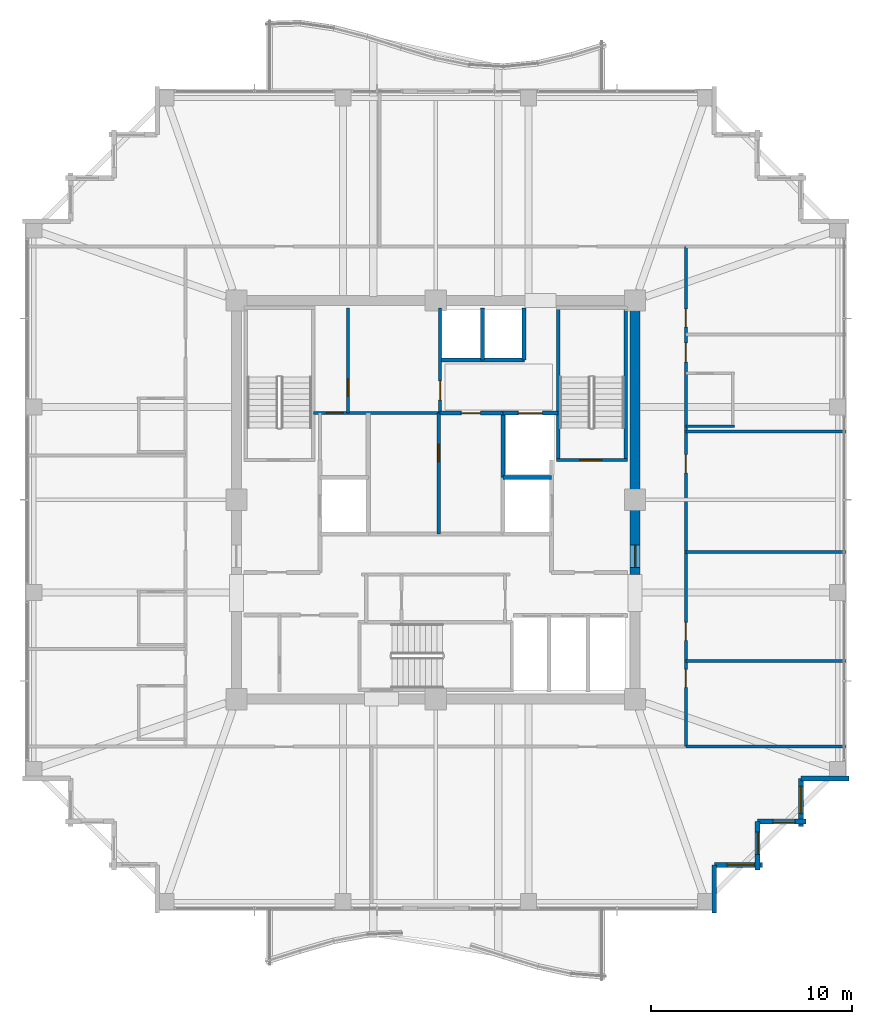
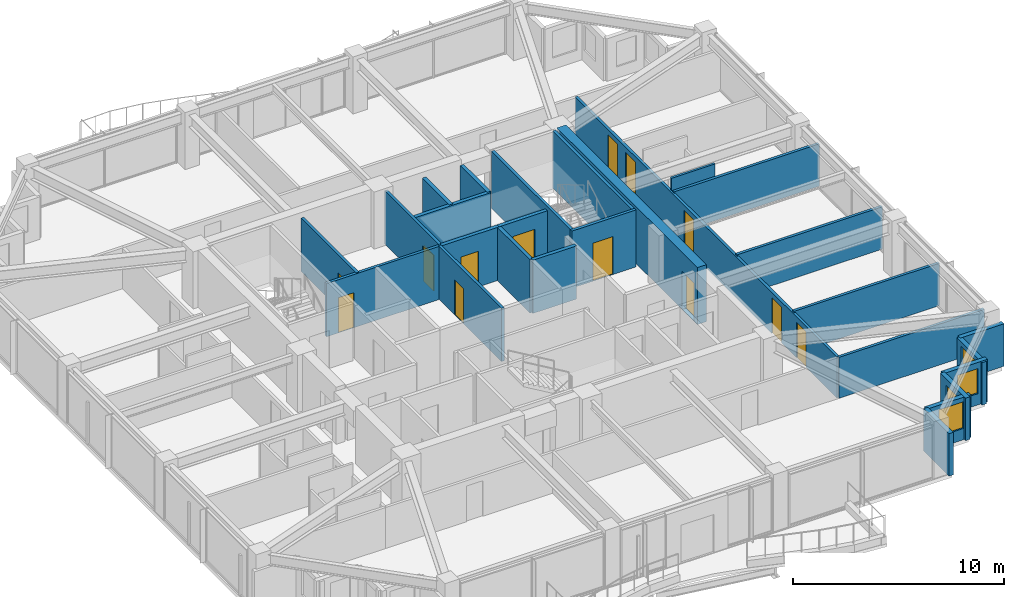
# One storey, part 32 of 36: 27 walls, 13 doors, 4 windows, 17 openings.
"""IFC4 building model written with IfcOpenShell, lengths in metres."""

from ifc_helpers import new_model, si_unit, direction, frame, frame_2d, origin, place, context, subcontext, project, spatial, rectangle, extrude, material, layer, layer_set, type_object, element, fill, save


model = new_model("IFC4")

# Units and contexts
model_context = context("Model", 3, precision=1e-05, world=origin(), true_north=direction((0.0, 1.0)))
body_context = subcontext(model_context, "Body", "Model", "MODEL_VIEW")
ifc_project = project(units=[si_unit("LENGTHUNIT", "METRE"), si_unit("AREAUNIT", "SQUARE_METRE"), si_unit("VOLUMEUNIT", "CUBIC_METRE"), si_unit("PLANEANGLEUNIT", "RADIAN"), si_unit("MASSUNIT", "GRAM", prefix="KILO")], contexts=[model_context])

# Site, building, storey
site_placement = place(None, origin())
site = spatial("IfcSite", under=ifc_project, at=site_placement, CompositionType="ELEMENT")
building_placement = place(site_placement, origin())
building = spatial("IfcBuilding", under=site, at=building_placement, Name="Kolvaren Belvedere", CompositionType="ELEMENT")
storey_placement = place(building_placement, frame((0.0, 0.0, 193.199951171875)))
storey = spatial("IfcBuildingStorey", under=building, at=storey_placement, Name="L56", CompositionType="ELEMENT", Elevation=193.199951171875)

# Wall, opening, door
ifc_material_1 = material(Name="Concrete C50/60", Category="concrete")
ifc_layer_1 = layer(ifc_material_1, 0.5)
ifc_layer_set_1 = layer_set([ifc_layer_1], Name="Concrete C50/60")
wall_type_1 = type_object("IfcWallType", Name="CW-CORE-500", PredefinedType="SHEAR", material=ifc_layer_set_1)
wall_1_placement = place(storey_placement, frame((9.89990234375, -3.699951171875, 0.0), z_axis=(0.0, 0.0, 1.0), x_axis=(0.0, 1.0, 0.0)))
wall_1 = element("IfcWall", 1, at=wall_1_placement, inside=storey, type_object=wall_type_1, Name="L56 East Core Shear Wall 2", PredefinedType="SHEAR", context=body_context, shape_type="SweptSolid", body=[
    extrude(rectangle(XDim=13.349853515625, YDim=0.5, at=frame_2d((6.6748046875, 0.0))), origin(), (0.0, 0.0, 1.0), 3.300048828125),
])
opening_1_placement = place(wall_1_placement, frame((0.35009765625, 0.0, 0.0)))
opening_1 = element("IfcOpeningElement", 2, at=opening_1_placement, cuts=wall_1, Name="Opening D-FD90", PredefinedType="OPENING", context=body_context, shape_type="SweptSolid", body=[
    extrude(rectangle(XDim=1.10009765625, YDim=2.199951171875, at=frame_2d((0.550048828125, 1.10009765625))), frame((0.0, 0.260009765625, 0.0), z_axis=(0.0, -1.0, 0.0), x_axis=(1.0, 0.0, 0.0)), (0.0, 0.0, 1.0), 0.52001953125),
])
ifc_material_2 = material(Name="Painted hollow stainless steel", Category="steel")
door_type_1 = type_object("IfcDoorType", Name="DR-FD90-1100", OperationType="NOTDEFINED", PredefinedType="DOOR", material=ifc_material_2)
door_1_placement = place(opening_1_placement, origin())
door_1 = element("IfcDoor", 3, at=door_1_placement, inside=storey, type_object=door_type_1, Name="L56 East Firefighting Lobby Fire Door", OperationType="SINGLE_SWING_RIGHT", OverallHeight=2.199951171875, OverallWidth=1.10009765625, PredefinedType="DOOR", context=body_context, shape_type="SweptSolid", body=[
    extrude(rectangle(XDim=1.10009765625, YDim=2.199951171875, at=frame_2d((0.550048828125, 1.10009765625))), frame((0.0, 0.02490234375, 0.0), z_axis=(0.0, -1.0, 0.0), x_axis=(1.0, 0.0, 0.0)), (0.0, 0.0, 1.0), 0.050048828125),
])
fill(opening_1, door_1)

ifc_material_3 = material(Name="Concrete C50/60", Category="concrete")
ifc_layer_2 = layer(ifc_material_3, 0.159912109375)
ifc_layer_set_2 = layer_set([ifc_layer_2], Name="Concrete C50/60")
wall_type_2 = type_object("IfcWallType", Name="CW-STAIR-160", PredefinedType="SHEAR", material=ifc_layer_set_2)
wall_2_placement = place(storey_placement, frame((6.0, 1.969970703125, 0.0), z_axis=(0.0, 0.0, 1.0), x_axis=(1.0, 0.0, 0.0)))
wall_2 = element("IfcWall", 4, at=wall_2_placement, inside=storey, type_object=wall_type_2, Name="L56 Stair ST-2 South Shear Wall", PredefinedType="SHEAR", context=body_context, shape_type="SweptSolid", body=[
    extrude(rectangle(XDim=3.52001953125, YDim=0.159912109375, at=frame_2d((1.760009765625, 0.0))), origin(), (0.0, 0.0, 1.0), 3.300048828125),
])
opening_2_placement = place(wall_2_placement, frame((1.14990234375, 0.0, 0.0)))
opening_2 = element("IfcOpeningElement", 5, at=opening_2_placement, cuts=wall_2, Name="Opening D-FD90", PredefinedType="OPENING", context=body_context, shape_type="SweptSolid", body=[
    extrude(rectangle(XDim=1.10009765625, YDim=2.199951171875, at=frame_2d((0.550048828125, 1.10009765625))), frame((0.0, 0.08984375, 0.0), z_axis=(0.0, -1.0, 0.0), x_axis=(1.0, 0.0, 0.0)), (0.0, 0.0, 1.0), 0.179931640625),
])
door_2_placement = place(opening_2_placement, origin())
door_2 = element("IfcDoor", 6, at=door_2_placement, inside=storey, type_object=door_type_1, Name="L56 Stair ST-2 Fire Door", OperationType="SINGLE_SWING_RIGHT", OverallHeight=2.199951171875, OverallWidth=1.10009765625, PredefinedType="DOOR", context=body_context, shape_type="SweptSolid", body=[
    extrude(rectangle(XDim=1.10009765625, YDim=2.199951171875, at=frame_2d((0.550048828125, 1.10009765625))), frame((0.0, 0.02490234375, 0.0), z_axis=(0.0, -1.0, 0.0), x_axis=(1.0, 0.0, 0.0)), (0.0, 0.0, 1.0), 0.050048828125),
])
fill(opening_2, door_2)

# Walls
for number, where, z_axis, x_axis, name in (
    (7, (6.080078125, 1.969970703125, 0.0), (0.0, 0.0, 1.0), (0.0, 1.0, 0.0), "L56 Stair ST-2 West Shear Wall"),
    (8, (9.429931640625, 1.969970703125, 0.0), (0.0, 0.0, 1.0), (0.0, 1.0, 0.0), "L56 Stair ST-2 East Shear Wall"),
):
    element("IfcWall", number, at=place(storey_placement, frame(where, z_axis=z_axis, x_axis=x_axis)), inside=storey, type_object=wall_type_2, Name=name, PredefinedType="SHEAR", context=body_context, shape_type="SweptSolid", body=[
        extrude(rectangle(XDim=7.56005859375, YDim=0.159912109375, at=frame_2d((3.780029296875, 0.0))), origin(), (0.0, 0.0, 1.0), 3.300048828125),
    ])

# Wall, openings, doors
ifc_material_4 = material(Name="Gypsum fire-rated partition assembly", Category="gypsum")
ifc_layer_3 = layer(ifc_material_4, 0.14990234375)
ifc_layer_set_3 = layer_set([ifc_layer_3], Name="Gypsum fire-rated partition assembly")
wall_type_3 = type_object("IfcWallType", Name="WL-CORR-150", PredefinedType="PARTITIONING", material=ifc_layer_set_3)
wall_3_placement = place(storey_placement, frame((12.419921875, -12.260009765625, 0.0), z_axis=(0.0, 0.0, 1.0), x_axis=(0.0, 1.0, 0.0)))
wall_3 = element("IfcWall", 9, at=wall_3_placement, inside=storey, type_object=wall_type_3, Name="L56 East Corridor Wall", PredefinedType="PARTITIONING", context=body_context, shape_type="SweptSolid", body=[
    extrude(rectangle(XDim=24.840087890625, YDim=0.14990234375, at=frame_2d((12.419921875, 0.0))), origin(), (0.0, 0.0, 1.0), 2.369140625),
])
opening_3_placement = place(wall_3_placement, frame((2.9443359375, 0.0, 0.0)))
opening_3 = element("IfcOpeningElement", 10, at=opening_3_placement, cuts=wall_3, Name="Opening D-INT90", PredefinedType="OPENING", context=body_context, shape_type="SweptSolid", body=[
    extrude(rectangle(XDim=0.89990234375, YDim=2.06005859375, at=frame_2d((0.449951171875, 1.030029296875))), frame((0.0, 0.0849609375, 0.0), z_axis=(0.0, -1.0, 0.0), x_axis=(1.0, 0.0, 0.0)), (0.0, 0.0, 1.0), 0.169921875),
])
opening_4_placement = place(wall_3_placement, frame((5.279296875, 0.0, 0.0)))
opening_4 = element("IfcOpeningElement", 11, at=opening_4_placement, cuts=wall_3, Name="Opening D-INT90", PredefinedType="OPENING", context=body_context, shape_type="SweptSolid", body=[
    extrude(rectangle(XDim=0.89990234375, YDim=2.06005859375, at=frame_2d((0.449951171875, 1.030029296875))), frame((0.0, 0.0849609375, 0.0), z_axis=(0.0, -1.0, 0.0), x_axis=(1.0, 0.0, 0.0)), (0.0, 0.0, 1.0), 0.169921875),
])
opening_5_placement = place(wall_3_placement, frame((13.601806640625, 0.0, 0.0)))
opening_5 = element("IfcOpeningElement", 12, at=opening_5_placement, cuts=wall_3, Name="Opening D-INT90", PredefinedType="OPENING", context=body_context, shape_type="SweptSolid", body=[
    extrude(rectangle(XDim=0.89990234375, YDim=2.06005859375, at=frame_2d((0.449951171875, 1.030029296875))), frame((0.0, 0.0849609375, 0.0), z_axis=(0.0, -1.0, 0.0), x_axis=(1.0, 0.0, 0.0)), (0.0, 0.0, 1.0), 0.169921875),
])
opening_6_placement = place(wall_3_placement, frame((19.09765625, 0.0, 0.0)))
opening_6 = element("IfcOpeningElement", 13, at=opening_6_placement, cuts=wall_3, Name="Opening D-FD60", PredefinedType="OPENING", context=body_context, shape_type="SweptSolid", body=[
    extrude(rectangle(XDim=0.949951171875, YDim=2.06005859375, at=frame_2d((0.47509765625, 1.030029296875))), frame((0.0, 0.0849609375, 0.0), z_axis=(0.0, -1.0, 0.0), x_axis=(1.0, 0.0, 0.0)), (0.0, 0.0, 1.0), 0.169921875),
])
opening_7_placement = place(wall_3_placement, frame((20.835693359375, 0.0, 0.0)))
opening_7 = element("IfcOpeningElement", 14, at=opening_7_placement, cuts=wall_3, Name="Opening D-INT90", PredefinedType="OPENING", context=body_context, shape_type="SweptSolid", body=[
    extrude(rectangle(XDim=0.89990234375, YDim=2.06005859375, at=frame_2d((0.449951171875, 1.030029296875))), frame((0.0, 0.0849609375, 0.0), z_axis=(0.0, -1.0, 0.0), x_axis=(1.0, 0.0, 0.0)), (0.0, 0.0, 1.0), 0.169921875),
])
ifc_material_5 = material(Name="Acoustic white-oak fire door leaf", Category="timber")
door_type_2 = type_object("IfcDoorType", Name="DR-FD60-950", OperationType="NOTDEFINED", PredefinedType="DOOR", material=ifc_material_5)
door_3_placement = place(opening_6_placement, origin())
door_3 = element("IfcDoor", 15, at=door_3_placement, inside=storey, type_object=door_type_2, Name="L56 Botanical Hospitality Suite 5606 Entry Door", OperationType="SINGLE_SWING_RIGHT", OverallHeight=2.06005859375, OverallWidth=0.949951171875, PredefinedType="DOOR", context=body_context, shape_type="SweptSolid", body=[
    extrude(rectangle(XDim=0.949951171875, YDim=2.06005859375, at=frame_2d((0.47509765625, 1.030029296875))), frame((0.0, 0.02490234375, 0.0), z_axis=(0.0, -1.0, 0.0), x_axis=(1.0, 0.0, 0.0)), (0.0, 0.0, 1.0), 0.050048828125),
])
fill(opening_6, door_3)
ifc_material_6 = material(Name="Stained Pacific white oak", Category="timber")
door_type_3 = type_object("IfcDoorType", Name="DR-INT-900", OperationType="NOTDEFINED", PredefinedType="DOOR", material=ifc_material_6)
door_4_placement = place(opening_3_placement, origin())
door_4 = element("IfcDoor", 16, at=door_4_placement, inside=storey, type_object=door_type_3, Name="L56 Guest Tea & Espresso Kitchen 5603 Door", OperationType="SINGLE_SWING_RIGHT", OverallHeight=2.06005859375, OverallWidth=0.89990234375, PredefinedType="DOOR", context=body_context, shape_type="SweptSolid", body=[
    extrude(rectangle(XDim=0.89990234375, YDim=2.06005859375, at=frame_2d((0.449951171875, 1.030029296875))), frame((0.0, 0.02490234375, 0.0), z_axis=(0.0, -1.0, 0.0), x_axis=(1.0, 0.0, 0.0)), (0.0, 0.0, 1.0), 0.050048828125),
])
fill(opening_3, door_4)
door_5_placement = place(opening_4_placement, origin())
door_5 = element("IfcDoor", 17, at=door_5_placement, inside=storey, type_object=door_type_3, Name="L56 Private Hospitality Meeting Room 5604 Door", OperationType="SINGLE_SWING_LEFT", OverallHeight=2.06005859375, OverallWidth=0.89990234375, PredefinedType="DOOR", context=body_context, shape_type="SweptSolid", body=[
    extrude(rectangle(XDim=0.89990234375, YDim=2.06005859375, at=frame_2d((0.449951171875, 1.030029296875))), frame((0.0, 0.02490234375, 0.0), z_axis=(0.0, -1.0, 0.0), x_axis=(1.0, 0.0, 0.0)), (0.0, 0.0, 1.0), 0.050048828125),
])
fill(opening_4, door_5)
door_6_placement = place(opening_5_placement, origin())
door_6 = element("IfcDoor", 18, at=door_6_placement, inside=storey, type_object=door_type_3, Name="L56 Botanical Reading Salon 5605 Door", OperationType="SINGLE_SWING_RIGHT", OverallHeight=2.06005859375, OverallWidth=0.89990234375, PredefinedType="DOOR", context=body_context, shape_type="SweptSolid", body=[
    extrude(rectangle(XDim=0.89990234375, YDim=2.06005859375, at=frame_2d((0.449951171875, 1.030029296875))), frame((0.0, 0.02490234375, 0.0), z_axis=(0.0, -1.0, 0.0), x_axis=(1.0, 0.0, 0.0)), (0.0, 0.0, 1.0), 0.050048828125),
])
fill(opening_5, door_6)
door_7_placement = place(opening_7_placement, origin())
door_7 = element("IfcDoor", 19, at=door_7_placement, inside=storey, type_object=door_type_3, Name="L56 Lounge 5607 Door", OperationType="SINGLE_SWING_LEFT", OverallHeight=2.06005859375, OverallWidth=0.89990234375, PredefinedType="DOOR", context=body_context, shape_type="SweptSolid", body=[
    extrude(rectangle(XDim=0.89990234375, YDim=2.06005859375, at=frame_2d((0.449951171875, 1.030029296875))), frame((0.0, 0.02490234375, 0.0), z_axis=(0.0, -1.0, 0.0), x_axis=(1.0, 0.0, 0.0)), (0.0, 0.0, 1.0), 0.050048828125),
])
fill(opening_7, door_7)

# Wall
ifc_material_7 = material(Name="Insulated pale-metal facade wall assembly", Category="aluminium")
ifc_layer_4 = layer(ifc_material_7, 0.239990234375)
ifc_layer_set_4 = layer_set([ifc_layer_4], Name="Insulated pale-metal facade wall assembly")
wall_type_4 = type_object("IfcWallType", Name="WL-EXT-240", PredefinedType="STANDARD", material=ifc_layer_set_4)
wall_4_placement = place(storey_placement, frame((13.830078125, -18.1298828125, 0.0), z_axis=(0.0, 0.0, 1.0), x_axis=(0.0, -1.0, 0.0)))
element("IfcWall", 20, at=wall_4_placement, inside=storey, type_object=wall_type_4, Name="L56 Serrated Corner Facade Wall 2", PredefinedType="STANDARD", context=body_context, shape_type="SweptSolid", body=[
    extrude(rectangle(XDim=2.39013671875, YDim=0.239990234375, at=frame_2d((1.195068359375, 0.0))), origin(), (0.0, 0.0, 1.0), 2.463134765625),
])

# Wall, opening, window
wall_5_placement = place(storey_placement, frame((16.219970703125, -18.1298828125, 0.0), z_axis=(0.0, 0.0, 1.0), x_axis=(-1.0, 0.0, 0.0)))
wall_5 = element("IfcWall", 21, at=wall_5_placement, inside=storey, type_object=wall_type_4, Name="L56 Serrated Corner Facade Wall 3", PredefinedType="STANDARD", context=body_context, shape_type="SweptSolid", body=[
    extrude(rectangle(XDim=2.389892578125, YDim=0.239990234375, at=frame_2d((1.19482421875, 0.0))), origin(), (0.0, 0.0, 1.0), 2.463134765625),
])
opening_8_placement = place(wall_5_placement, frame((0.39990234375, 0.0, 0.64990234375)))
opening_8 = element("IfcOpeningElement", 22, at=opening_8_placement, cuts=wall_5, Name="Opening W-1350", PredefinedType="OPENING", context=body_context, shape_type="SweptSolid", body=[
    extrude(rectangle(XDim=1.35009765625, YDim=1.550048828125, at=frame_2d((0.675048828125, 0.77490234375))), frame((0.0, 0.1298828125, 0.0), z_axis=(0.0, -1.0, 0.0), x_axis=(1.0, 0.0, 0.0)), (0.0, 0.0, 1.0), 0.260009765625),
])
ifc_material_8 = material(Name="Low-iron triple insulated glass", Category="glass")
window_type_1 = type_object("IfcWindowType", Name="WN-CORN-1350", PartitioningType="SINGLE_PANEL", PredefinedType="WINDOW", material=ifc_material_8)
window_1_placement = place(opening_8_placement, origin())
window_1 = element("IfcWindow", 23, at=window_1_placement, inside=storey, type_object=window_type_1, Name="L56 Serrated Corner Vision Window 3", OverallHeight=1.550048828125, OverallWidth=1.35009765625, PartitioningType="SINGLE_PANEL", PredefinedType="WINDOW", context=body_context, shape_type="SweptSolid", body=[
    extrude(rectangle(XDim=1.35009765625, YDim=1.550048828125, at=frame_2d((0.675048828125, 0.77490234375))), frame((0.0, 0.030029296875, 0.0), z_axis=(0.0, -1.0, 0.0), x_axis=(1.0, 0.0, 0.0)), (0.0, 0.0, 1.0), 0.06005859375),
])
fill(opening_8, window_1)

wall_6_placement = place(storey_placement, frame((15.97998046875, -15.97998046875, 0.0), z_axis=(0.0, 0.0, 1.0), x_axis=(0.0, -1.0, 0.0)))
wall_6 = element("IfcWall", 24, at=wall_6_placement, inside=storey, type_object=wall_type_4, Name="L56 Serrated Corner Facade Wall 4", PredefinedType="STANDARD", context=body_context, shape_type="SweptSolid", body=[
    extrude(rectangle(XDim=2.39013671875, YDim=0.239990234375, at=frame_2d((1.195068359375, 0.0))), origin(), (0.0, 0.0, 1.0), 2.463134765625),
])
opening_9_placement = place(wall_6_placement, frame((0.52490234375, 0.0, 0.64990234375)))
opening_9 = element("IfcOpeningElement", 25, at=opening_9_placement, cuts=wall_6, Name="Opening W-1100", PredefinedType="OPENING", context=body_context, shape_type="SweptSolid", body=[
    extrude(rectangle(XDim=1.10009765625, YDim=1.449951171875, at=frame_2d((0.550048828125, 0.72509765625))), frame((0.0, 0.1298828125, 0.0), z_axis=(0.0, -1.0, 0.0), x_axis=(1.0, 0.0, 0.0)), (0.0, 0.0, 1.0), 0.260009765625),
])
ifc_material_9 = material(Name="Low-iron triple insulated glass", Category="glass")
window_type_2 = type_object("IfcWindowType", Name="WN-CORN-1100", PartitioningType="SINGLE_PANEL", PredefinedType="WINDOW", material=ifc_material_9)
window_2_placement = place(opening_9_placement, origin())
window_2 = element("IfcWindow", 26, at=window_2_placement, inside=storey, type_object=window_type_2, Name="L56 Serrated Corner Vision Window 4", OverallHeight=1.449951171875, OverallWidth=1.10009765625, PartitioningType="SINGLE_PANEL", PredefinedType="WINDOW", context=body_context, shape_type="SweptSolid", body=[
    extrude(rectangle(XDim=1.10009765625, YDim=1.449951171875, at=frame_2d((0.550048828125, 0.72509765625))), frame((0.0, 0.030029296875, 0.0), z_axis=(0.0, -1.0, 0.0), x_axis=(1.0, 0.0, 0.0)), (0.0, 0.0, 1.0), 0.06005859375),
])
fill(opening_9, window_2)

wall_7_placement = place(storey_placement, frame((18.3701171875, -15.97998046875, 0.0), z_axis=(0.0, 0.0, 1.0), x_axis=(-1.0, 0.0, 0.0)))
wall_7 = element("IfcWall", 27, at=wall_7_placement, inside=storey, type_object=wall_type_4, Name="L56 Serrated Corner Facade Wall 5", PredefinedType="STANDARD", context=body_context, shape_type="SweptSolid", body=[
    extrude(rectangle(XDim=2.39013671875, YDim=0.239990234375, at=frame_2d((1.195068359375, 0.0))), origin(), (0.0, 0.0, 1.0), 2.463134765625),
])
opening_10_placement = place(wall_7_placement, frame((0.52490234375, 0.0, 0.64990234375)))
opening_10 = element("IfcOpeningElement", 28, at=opening_10_placement, cuts=wall_7, Name="Opening W-1100", PredefinedType="OPENING", context=body_context, shape_type="SweptSolid", body=[
    extrude(rectangle(XDim=1.10009765625, YDim=1.449951171875, at=frame_2d((0.550048828125, 0.72509765625))), frame((0.0, 0.1298828125, 0.0), z_axis=(0.0, -1.0, 0.0), x_axis=(1.0, 0.0, 0.0)), (0.0, 0.0, 1.0), 0.260009765625),
])
window_3_placement = place(opening_10_placement, origin())
window_3 = element("IfcWindow", 29, at=window_3_placement, inside=storey, type_object=window_type_2, Name="L56 Serrated Corner Vision Window 5", OverallHeight=1.449951171875, OverallWidth=1.10009765625, PartitioningType="SINGLE_PANEL", PredefinedType="WINDOW", context=body_context, shape_type="SweptSolid", body=[
    extrude(rectangle(XDim=1.10009765625, YDim=1.449951171875, at=frame_2d((0.550048828125, 0.72509765625))), frame((0.0, 0.030029296875, 0.0), z_axis=(0.0, -1.0, 0.0), x_axis=(1.0, 0.0, 0.0)), (0.0, 0.0, 1.0), 0.06005859375),
])
fill(opening_10, window_3)

wall_8_placement = place(storey_placement, frame((18.1298828125, -13.830078125, 0.0), z_axis=(0.0, 0.0, 1.0), x_axis=(0.0, -1.0, 0.0)))
wall_8 = element("IfcWall", 30, at=wall_8_placement, inside=storey, type_object=wall_type_4, Name="L56 Serrated Corner Facade Wall 6", PredefinedType="STANDARD", context=body_context, shape_type="SweptSolid", body=[
    extrude(rectangle(XDim=2.389892578125, YDim=0.239990234375, at=frame_2d((1.19482421875, 0.0))), origin(), (0.0, 0.0, 1.0), 2.463134765625),
])
opening_11_placement = place(wall_8_placement, frame((0.39990234375, 0.0, 0.64990234375)))
opening_11 = element("IfcOpeningElement", 31, at=opening_11_placement, cuts=wall_8, Name="Opening W-1350", PredefinedType="OPENING", context=body_context, shape_type="SweptSolid", body=[
    extrude(rectangle(XDim=1.35009765625, YDim=1.550048828125, at=frame_2d((0.675048828125, 0.77490234375))), frame((0.0, 0.1298828125, 0.0), z_axis=(0.0, -1.0, 0.0), x_axis=(1.0, 0.0, 0.0)), (0.0, 0.0, 1.0), 0.260009765625),
])
window_4_placement = place(opening_11_placement, origin())
window_4 = element("IfcWindow", 32, at=window_4_placement, inside=storey, type_object=window_type_1, Name="L56 Serrated Corner Vision Window 6", OverallHeight=1.550048828125, OverallWidth=1.35009765625, PartitioningType="SINGLE_PANEL", PredefinedType="WINDOW", context=body_context, shape_type="SweptSolid", body=[
    extrude(rectangle(XDim=1.35009765625, YDim=1.550048828125, at=frame_2d((0.675048828125, 0.77490234375))), frame((0.0, 0.030029296875, 0.0), z_axis=(0.0, -1.0, 0.0), x_axis=(1.0, 0.0, 0.0)), (0.0, 0.0, 1.0), 0.06005859375),
])
fill(opening_11, window_4)

# Wall
wall_9_placement = place(storey_placement, frame((20.52001953125, -13.830078125, 0.0), z_axis=(0.0, 0.0, 1.0), x_axis=(-1.0, 0.0, 0.0)))
element("IfcWall", 33, at=wall_9_placement, inside=storey, type_object=wall_type_4, Name="L56 Serrated Corner Facade Wall 7", PredefinedType="STANDARD", context=body_context, shape_type="SweptSolid", body=[
    extrude(rectangle(XDim=2.39013671875, YDim=0.239990234375, at=frame_2d((1.195068359375, 0.0))), origin(), (0.0, 0.0, 1.0), 2.463134765625),
])

# Wall, opening, door
ifc_material_10 = material(Name="Gypsum acoustic partition assembly", Category="gypsum")
ifc_layer_5 = layer(ifc_material_10, 0.14990234375)
ifc_layer_set_5 = layer_set([ifc_layer_5], Name="Gypsum acoustic partition assembly")
wall_type_5 = type_object("IfcWallType", Name="WL-PART-150", PredefinedType="PARTITIONING", material=ifc_layer_set_5)
wall_10_placement = place(storey_placement, frame((-6.080078125, 4.300048828125, 0.0), z_axis=(0.0, 0.0, 1.0), x_axis=(1.0, 0.0, 0.0)))
wall_10 = element("IfcWall", 34, at=wall_10_placement, inside=storey, type_object=wall_type_5, Name="L56 Reclaimed Salon South Wall", PredefinedType="PARTITIONING", context=body_context, shape_type="SweptSolid", body=[
    extrude(rectangle(XDim=6.300048828125, YDim=0.14990234375, at=frame_2d((3.14990234375, 0.0))), origin(), (0.0, 0.0, 1.0), 3.080078125),
])
opening_12_placement = place(wall_10_placement, frame((0.64990234375, 0.0, 0.0)))
opening_12 = element("IfcOpeningElement", 35, at=opening_12_placement, cuts=wall_10, Name="Opening D-INT85", PredefinedType="OPENING", context=body_context, shape_type="SweptSolid", body=[
    extrude(rectangle(XDim=0.85009765625, YDim=2.030029296875, at=frame_2d((0.425048828125, 1.01513671875))), frame((0.0, 0.0849609375, 0.0), z_axis=(0.0, -1.0, 0.0), x_axis=(1.0, 0.0, 0.0)), (0.0, 0.0, 1.0), 0.169921875),
])
ifc_material_11 = material(Name="Stained Pacific white oak", Category="timber")
door_type_4 = type_object("IfcDoorType", Name="DR-INT-850", OperationType="NOTDEFINED", PredefinedType="DOOR", material=ifc_material_11)
door_8_placement = place(opening_12_placement, origin())
door_8 = element("IfcDoor", 36, at=door_8_placement, inside=storey, type_object=door_type_4, Name="L56 NW Core Store Door", OperationType="SINGLE_SWING_RIGHT", OverallHeight=2.030029296875, OverallWidth=0.85009765625, PredefinedType="DOOR", context=body_context, shape_type="SweptSolid", body=[
    extrude(rectangle(XDim=0.85009765625, YDim=2.030029296875, at=frame_2d((0.425048828125, 1.01513671875))), frame((0.0, 0.02490234375, 0.0), z_axis=(0.0, -1.0, 0.0), x_axis=(1.0, 0.0, 0.0)), (0.0, 0.0, 1.0), 0.050048828125),
])
fill(opening_12, door_8)

wall_11_placement = place(storey_placement, frame((0.219970703125, 4.300048828125, 0.0), z_axis=(0.0, 0.0, 1.0), x_axis=(0.0, 1.0, 0.0)))
wall_11 = element("IfcWall", 37, at=wall_11_placement, inside=storey, type_object=wall_type_5, Name="L56 Reclaimed Salon East Wall", PredefinedType="PARTITIONING", context=body_context, shape_type="SweptSolid", body=[
    extrude(rectangle(XDim=5.219970703125, YDim=0.14990234375, at=frame_2d((2.60986328125, 0.0))), origin(), (0.0, 0.0, 1.0), 3.080078125),
])
opening_13_placement = place(wall_11_placement, frame((0.64990234375, 0.0, 0.0)))
opening_13 = element("IfcOpeningElement", 38, at=opening_13_placement, cuts=wall_11, Name="Opening D-INT95", PredefinedType="OPENING", context=body_context, shape_type="SweptSolid", body=[
    extrude(rectangle(XDim=0.949951171875, YDim=2.06005859375, at=frame_2d((0.47509765625, 1.030029296875))), frame((0.0, 0.0849609375, 0.0), z_axis=(0.0, -1.0, 0.0), x_axis=(1.0, 0.0, 0.0)), (0.0, 0.0, 1.0), 0.169921875),
])
ifc_material_12 = material(Name="Stained Pacific white oak", Category="timber")
door_type_5 = type_object("IfcDoorType", Name="DR-INT-950", OperationType="NOTDEFINED", PredefinedType="DOOR", material=ifc_material_12)
door_9_placement = place(opening_13_placement, origin())
door_9 = element("IfcDoor", 39, at=door_9_placement, inside=storey, type_object=door_type_5, Name="L56 Art Salon Door", OperationType="SINGLE_SWING_LEFT", OverallHeight=2.06005859375, OverallWidth=0.949951171875, PredefinedType="DOOR", context=body_context, shape_type="SweptSolid", body=[
    extrude(rectangle(XDim=0.949951171875, YDim=2.06005859375, at=frame_2d((0.47509765625, 1.030029296875))), frame((0.0, 0.02490234375, 0.0), z_axis=(0.0, -1.0, 0.0), x_axis=(1.0, 0.0, 0.0)), (0.0, 0.0, 1.0), 0.050048828125),
])
fill(opening_13, door_9)

wall_12_placement = place(storey_placement, frame((-4.35009765625, 4.300048828125, 0.0), z_axis=(0.0, 0.0, 1.0), x_axis=(0.0, 1.0, 0.0)))
wall_12 = element("IfcWall", 40, at=wall_12_placement, inside=storey, type_object=wall_type_5, Name="L56 Reclaimed Archive Divider", PredefinedType="PARTITIONING", context=body_context, shape_type="SweptSolid", body=[
    extrude(rectangle(XDim=5.219970703125, YDim=0.14990234375, at=frame_2d((2.60986328125, 0.0))), origin(), (0.0, 0.0, 1.0), 3.080078125),
])
opening_14_placement = place(wall_12_placement, frame((0.85009765625, 0.0, 0.0)))
opening_14 = element("IfcOpeningElement", 41, at=opening_14_placement, cuts=wall_12, Name="Opening D-INT85", PredefinedType="OPENING", context=body_context, shape_type="SweptSolid", body=[
    extrude(rectangle(XDim=0.85009765625, YDim=2.030029296875, at=frame_2d((0.425048828125, 1.01513671875))), frame((0.0, 0.0849609375, 0.0), z_axis=(0.0, -1.0, 0.0), x_axis=(1.0, 0.0, 0.0)), (0.0, 0.0, 1.0), 0.169921875),
])
door_10_placement = place(opening_14_placement, origin())
door_10 = element("IfcDoor", 42, at=door_10_placement, inside=storey, type_object=door_type_4, Name="L56 Archive Store Door", OperationType="SINGLE_SWING_RIGHT", OverallHeight=2.030029296875, OverallWidth=0.85009765625, PredefinedType="DOOR", context=body_context, shape_type="SweptSolid", body=[
    extrude(rectangle(XDim=0.85009765625, YDim=2.030029296875, at=frame_2d((0.425048828125, 1.01513671875))), frame((0.0, 0.02490234375, 0.0), z_axis=(0.0, -1.0, 0.0), x_axis=(1.0, 0.0, 0.0)), (0.0, 0.0, 1.0), 0.050048828125),
])
fill(opening_14, door_10)

wall_13_placement = place(storey_placement, frame((0.14990234375, -1.699951171875, 0.0), z_axis=(0.0, 0.0, 1.0), x_axis=(0.0, 1.0, 0.0)))
wall_13 = element("IfcWall", 43, at=wall_13_placement, inside=storey, type_object=wall_type_5, Name="L56 Central Core V-Divider", PredefinedType="PARTITIONING", context=body_context, shape_type="SweptSolid", body=[
    extrude(rectangle(XDim=6.0, YDim=0.14990234375, at=frame_2d((3.0, 0.0))), origin(), (0.0, 0.0, 1.0), 3.080078125),
])
opening_15_placement = place(wall_13_placement, frame((3.60009765625, 0.0, 0.0)))
opening_15 = element("IfcOpeningElement", 44, at=opening_15_placement, cuts=wall_13, Name="Opening D-INT85", PredefinedType="OPENING", context=body_context, shape_type="SweptSolid", body=[
    extrude(rectangle(XDim=0.85009765625, YDim=2.030029296875, at=frame_2d((0.425048828125, 1.01513671875))), frame((0.0, 0.0849609375, 0.0), z_axis=(0.0, -1.0, 0.0), x_axis=(1.0, 0.0, 0.0)), (0.0, 0.0, 1.0), 0.169921875),
])
door_11_placement = place(opening_15_placement, origin())
door_11 = element("IfcDoor", 45, at=door_11_placement, inside=storey, type_object=door_type_4, Name="L56 Central Linen Door", OperationType="SINGLE_SWING_RIGHT", OverallHeight=2.030029296875, OverallWidth=0.85009765625, PredefinedType="DOOR", context=body_context, shape_type="SweptSolid", body=[
    extrude(rectangle(XDim=0.85009765625, YDim=2.030029296875, at=frame_2d((0.425048828125, 1.01513671875))), frame((0.0, 0.02490234375, 0.0), z_axis=(0.0, -1.0, 0.0), x_axis=(1.0, 0.0, 0.0)), (0.0, 0.0, 1.0), 0.050048828125),
])
fill(opening_15, door_11)

# Walls
wall_14_placement = place(storey_placement, frame((12.419921875, -12.260009765625, 0.0), z_axis=(0.0, 0.0, 1.0), x_axis=(1.0, 0.0, 0.0)))
element("IfcWall", 46, at=wall_14_placement, inside=storey, type_object=wall_type_5, Name="L56 Wing Divider PW-L56-QSE", PredefinedType="PARTITIONING", context=body_context, shape_type="SweptSolid", body=[
    extrude(rectangle(XDim=7.9599609375, YDim=0.14990234375, at=frame_2d((3.97998046875, 0.0))), origin(), (0.0, 0.0, 1.0), 2.369140625),
])
for number, where, z_axis, x_axis, name in (
    (47, (12.419921875, -8.0, 0.0), (0.0, 0.0, 1.0), (1.0, 0.0, 0.0), "L56 East Suite Demising Wall 1"),
    (48, (12.419921875, -2.60009765625, 0.0), (0.0, 0.0, 1.0), (1.0, 0.0, 0.0), "L56 East Suite Demising Wall 2"),
    (49, (12.419921875, 3.39990234375, 0.0), (0.0, 0.0, 1.0), (1.0, 0.0, 0.0), "L56 East Suite Demising Wall 3"),
):
    element("IfcWall", number, at=place(storey_placement, frame(where, z_axis=z_axis, x_axis=x_axis)), inside=storey, type_object=wall_type_5, Name=name, PredefinedType="PARTITIONING", context=body_context, shape_type="SweptSolid", body=[
        extrude(rectangle(XDim=7.9599609375, YDim=0.14990234375, at=frame_2d((3.97998046875, 0.0))), origin(), (0.0, 0.0, 1.0), 2.453125),
    ])
ifc_material_13 = material(Name="Concrete C50/60", Category="concrete")
ifc_layer_6 = layer(ifc_material_13, 0.199951171875)
ifc_layer_set_6 = layer_set([ifc_layer_6], Name="Concrete C50/60")
wall_type_6 = type_object("IfcWallType", Name="WL-SHAFT-200", PredefinedType="SOLIDWALL", material=ifc_layer_set_6)
wall_15_placement = place(storey_placement, frame((3.35009765625, 1.10009765625, 0.0), z_axis=(0.0, 0.0, 1.0), x_axis=(1.0, 0.0, 0.0)))
element("IfcWall", 50, at=wall_15_placement, inside=storey, type_object=wall_type_6, Name="L56 FSAE FS2 North Wall", PredefinedType="SOLIDWALL", context=body_context, shape_type="SweptSolid", body=[
    extrude(rectangle(XDim=2.39990234375, YDim=0.199951171875, at=frame_2d((1.199951171875, 0.0))), origin(), (0.0, 0.0, 1.0), 3.080078125),
])

# Wall, opening, door
wall_16_placement = place(storey_placement, frame((3.35009765625, 4.300048828125, 0.0), z_axis=(0.0, 0.0, 1.0), x_axis=(1.0, 0.0, 0.0)))
wall_16 = element("IfcWall", 51, at=wall_16_placement, inside=storey, type_object=wall_type_6, Name="L56 Service Lift SV1 Front Wall", PredefinedType="SOLIDWALL", context=body_context, shape_type="SweptSolid", body=[
    extrude(rectangle(XDim=2.72998046875, YDim=0.199951171875, at=frame_2d((1.364990234375, 0.0))), origin(), (0.0, 0.0, 1.0), 3.080078125),
])
opening_16_placement = place(wall_16_placement, frame((0.75, 0.0, 0.0)))
opening_16 = element("IfcOpeningElement", 52, at=opening_16_placement, cuts=wall_16, Name="Opening LD-12", PredefinedType="OPENING", context=body_context, shape_type="SweptSolid", body=[
    extrude(rectangle(XDim=1.199951171875, YDim=2.25, at=frame_2d((0.60009765625, 1.125))), frame((0.0, 0.10986328125, 0.0), z_axis=(0.0, -1.0, 0.0), x_axis=(1.0, 0.0, 0.0)), (0.0, 0.0, 1.0), 0.219970703125),
])
ifc_material_14 = material(Name="Brushed stainless steel", Category="steel")
door_type_6 = type_object("IfcDoorType", Name="DR-LIFT-1200", OperationType="DOUBLE_DOOR_SLIDING", PredefinedType="DOOR", material=ifc_material_14)
door_12_placement = place(opening_16_placement, origin())
door_12 = element("IfcDoor", 53, at=door_12_placement, inside=storey, type_object=door_type_6, Name="L56 Service Lift SV1 Landing Door", OperationType="DOUBLE_DOOR_SLIDING", OverallHeight=2.25, OverallWidth=1.199951171875, PredefinedType="DOOR", context=body_context, shape_type="SweptSolid", body=[
    extrude(rectangle(XDim=1.199951171875, YDim=2.25, at=frame_2d((0.60009765625, 1.125))), frame((0.0, 0.02490234375, 0.0), z_axis=(0.0, -1.0, 0.0), x_axis=(1.0, 0.0, 0.0)), (0.0, 0.0, 1.0), 0.050048828125),
])
fill(opening_16, door_12)

# Walls
wall_17_placement = place(storey_placement, frame((0.219970703125, 6.949951171875, 0.0), z_axis=(0.0, 0.0, 1.0), x_axis=(1.0, 0.0, 0.0)))
element("IfcWall", 54, at=wall_17_placement, inside=storey, type_object=wall_type_6, Name="L56 Express Shuttle Hoistway Wall", PredefinedType="SOLIDWALL", context=body_context, shape_type="SweptSolid", body=[
    extrude(rectangle(XDim=4.179931640625, YDim=0.199951171875, at=frame_2d((2.08984375, 0.0))), origin(), (0.0, 0.0, 1.0), 3.080078125),
])
for number, where, z_axis, x_axis, name in (
    (55, (4.3798828125, 6.949951171875, 0.0), (0.0, 0.0, 1.0), (0.0, 1.0, 0.0), "L56 Express Shuttle East Wall"),
    (56, (2.31005859375, 6.949951171875, 0.0), (0.0, 0.0, 1.0), (0.0, 1.0, 0.0), "L56 Express Shuttle Divider"),
):
    element("IfcWall", number, at=place(storey_placement, frame(where, z_axis=z_axis, x_axis=x_axis)), inside=storey, type_object=wall_type_6, Name=name, PredefinedType="SOLIDWALL", context=body_context, shape_type="SweptSolid", body=[
        extrude(rectangle(XDim=2.570068359375, YDim=0.199951171875, at=frame_2d((1.28515625, 0.0))), origin(), (0.0, 0.0, 1.0), 3.080078125),
    ])

# Wall, opening, door
wall_18_placement = place(storey_placement, frame((0.219970703125, 4.300048828125, 0.0), z_axis=(0.0, 0.0, 1.0), x_axis=(1.0, 0.0, 0.0)))
wall_18 = element("IfcWall", 57, at=wall_18_placement, inside=storey, type_object=wall_type_6, Name="L56 Central Core Room North Wall", PredefinedType="SOLIDWALL", context=body_context, shape_type="SweptSolid", body=[
    extrude(rectangle(XDim=3.130126953125, YDim=0.199951171875, at=frame_2d((1.56494140625, 0.0))), origin(), (0.0, 0.0, 1.0), 3.080078125),
])
opening_17_placement = place(wall_18_placement, frame((1.050048828125, 0.0, 0.0)))
opening_17 = element("IfcOpeningElement", 58, at=opening_17_placement, cuts=wall_18, Name="Opening D-FD60", PredefinedType="OPENING", context=body_context, shape_type="SweptSolid", body=[
    extrude(rectangle(XDim=0.949951171875, YDim=2.06005859375, at=frame_2d((0.47509765625, 1.030029296875))), frame((0.0, 0.10986328125, 0.0), z_axis=(0.0, -1.0, 0.0), x_axis=(1.0, 0.0, 0.0)), (0.0, 0.0, 1.0), 0.219970703125),
])
door_13_placement = place(opening_17_placement, origin())
door_13 = element("IfcDoor", 59, at=door_13_placement, inside=storey, type_object=door_type_2, Name="L56 Central Core Controls Door", OperationType="SINGLE_SWING_LEFT", OverallHeight=2.06005859375, OverallWidth=0.949951171875, PredefinedType="DOOR", context=body_context, shape_type="SweptSolid", body=[
    extrude(rectangle(XDim=0.949951171875, YDim=2.06005859375, at=frame_2d((0.47509765625, 1.030029296875))), frame((0.0, 0.02490234375, 0.0), z_axis=(0.0, -1.0, 0.0), x_axis=(1.0, 0.0, 0.0)), (0.0, 0.0, 1.0), 0.050048828125),
])
fill(opening_17, door_13)

# Walls
wall_19_placement = place(storey_placement, frame((3.35009765625, 1.10009765625, 0.0), z_axis=(0.0, 0.0, 1.0), x_axis=(0.0, 1.0, 0.0)))
element("IfcWall", 60, at=wall_19_placement, inside=storey, type_object=wall_type_6, Name="L56 Central Core Room East Wall", PredefinedType="SOLIDWALL", context=body_context, shape_type="SweptSolid", body=[
    extrude(rectangle(XDim=3.199951171875, YDim=0.199951171875, at=frame_2d((1.60009765625, 0.0))), origin(), (0.0, 0.0, 1.0), 3.080078125),
])
ifc_material_15 = material(Name="Moisture-resistant gypsum partition", Category="gypsum")
ifc_layer_7 = layer(ifc_material_15, 0.125)
ifc_layer_set_7 = layer_set([ifc_layer_7], Name="Moisture-resistant gypsum partition")
wall_type_7 = type_object("IfcWallType", Name="WL-WET-125", PredefinedType="PARTITIONING", material=ifc_layer_set_7)
wall_20_placement = place(storey_placement, frame((12.43505859375, 3.64404296875, 0.0), z_axis=(0.0, 0.0, 1.0), x_axis=(1.0, 0.0, 0.0)))
element("IfcWall", 61, at=wall_20_placement, inside=storey, type_object=wall_type_7, Name="L56 Bathroom Partition PW-L56-BTH-6-S", PredefinedType="PARTITIONING", context=body_context, shape_type="SweptSolid", body=[
    extrude(rectangle(XDim=2.389892578125, YDim=0.125, at=frame_2d((1.19482421875, 0.0))), origin(), (0.0, 0.0, 1.0), 3.080078125),
])

save(model, "model.ifc")
